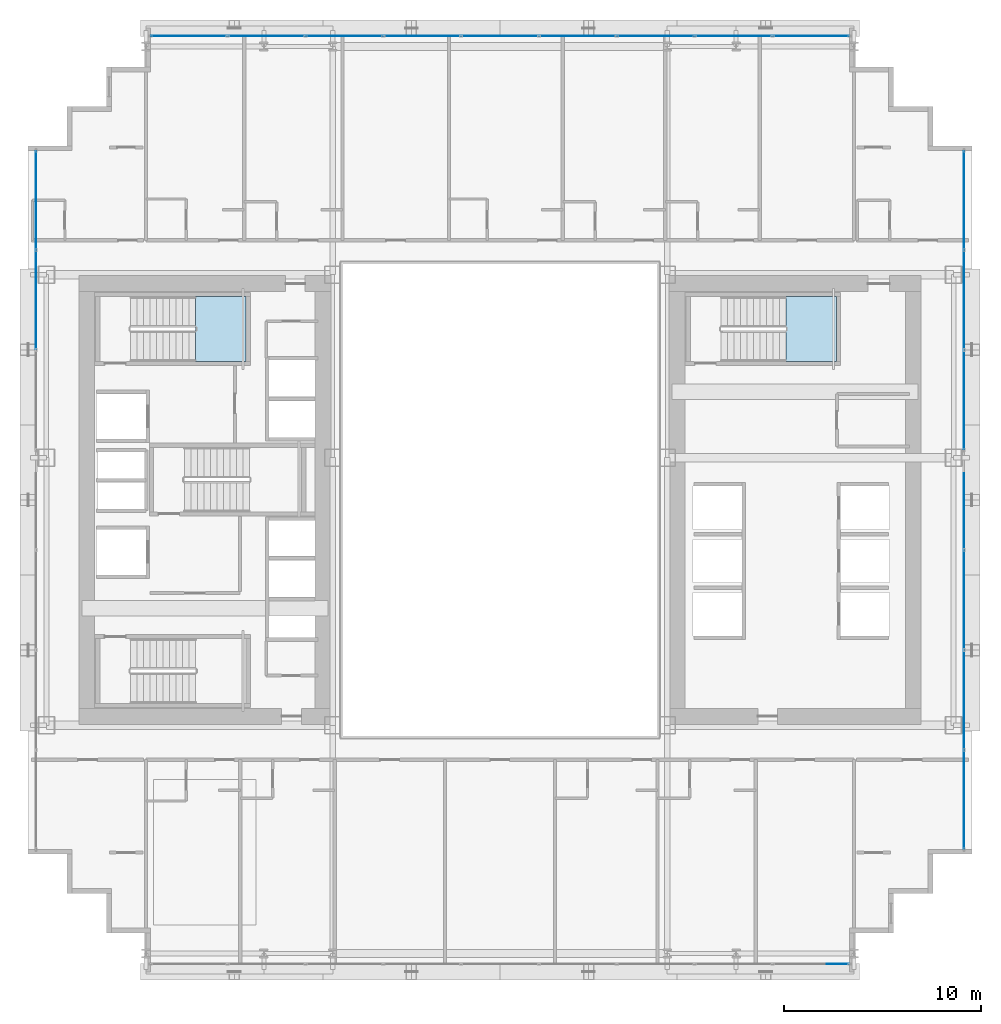
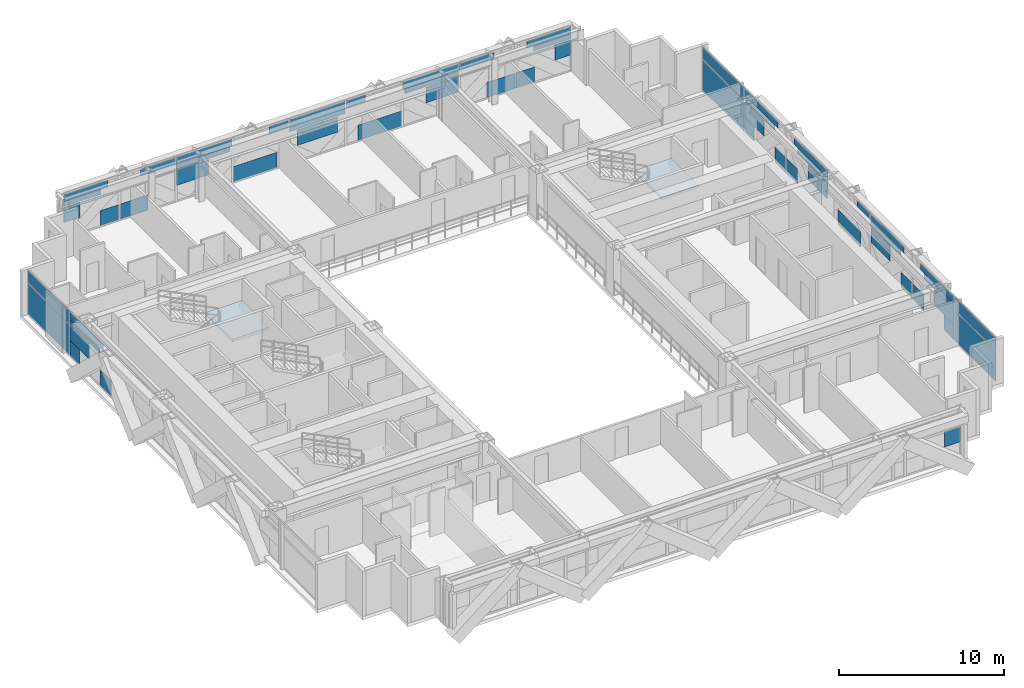
# One storey, part 24 of 35: 56 plates, 2 slabs, 6 elements without a shape of their own.
"""IFC4 building model written with IfcOpenShell, lengths in metres."""

from ifc_helpers import new_model, si_unit, direction, frame, origin, origin_2d, place, context, subcontext, project, spatial, polyline, rectangle, outline, extrude, source, transform, mapped, material, layer, layer_set, type_object, element, aggregate, save


model = new_model("IFC4")

# Units and contexts
model_context = context("Model", 3, precision=1e-05, world=origin(), true_north=direction((0.0, 1.0)))
body_context = subcontext(model_context, "Body", "Model", "MODEL_VIEW")
ifc_project = project(units=[si_unit("LENGTHUNIT", "METRE"), si_unit("AREAUNIT", "SQUARE_METRE"), si_unit("VOLUMEUNIT", "CUBIC_METRE"), si_unit("PLANEANGLEUNIT", "RADIAN"), si_unit("MASSUNIT", "GRAM", prefix="KILO")], contexts=[model_context])

# Site, building, storey
site_placement = place(None, origin())
site = spatial("IfcSite", under=ifc_project, at=site_placement, CompositionType="ELEMENT")
building_placement = place(site_placement, origin())
building = spatial("IfcBuilding", under=site, at=building_placement, Name="Ocotamira Hotel", CompositionType="ELEMENT")
storey_placement = place(building_placement, frame((0.0, 0.0, 70.800048828125)))
storey = spatial("IfcBuildingStorey", under=building, at=storey_placement, Name="L17", CompositionType="ELEMENT", Elevation=70.800048828125)

# Stair, slab
ifc_material_1 = material(Name="Concrete C40/50", Category="concrete")
stair_type = type_object("IfcStairType", Name="ST-CORE-1560", PredefinedType="HALF_TURN_STAIR", material=ifc_material_1)
stair_1_placement = place(storey_placement, origin())
stair_1 = element("IfcStair", 1, at=stair_1_placement, inside=storey, type_object=stair_type, Name="L17 Exit Stair ST-2", PredefinedType="HALF_TURN_STAIR")
ifc_layer_1 = layer(ifc_material_1, 0.199951171875)
ifc_layer_set_1 = layer_set([ifc_layer_1], Name="Concrete C40/50")
slab_type = type_object("IfcSlabType", Name="SLB-LAND-200", PredefinedType="LANDING", material=ifc_layer_set_1)
slab_1_placement = place(storey_placement, frame((0.0, 0.0, 1.599853515625)))
slab_1 = element("IfcSlab", 2, at=slab_1_placement, type_object=slab_type, Name="ST-2 landing 1", PredefinedType="LANDING", context=body_context, shape_type="SweptSolid", body=[
    extrude(outline(polyline([(16.530029296875, 33.050048828125), (19.090087890625, 33.050048828125), (19.090087890625, 36.330078125), (16.530029296875, 36.330078125), (16.530029296875, 33.050048828125)])), origin(), (0.0, 0.0, 1.0), 0.2001953125),
])
aggregate(stair_1, [slab_1])

stair_2_placement = place(storey_placement, origin())
stair_2 = element("IfcStair", 3, at=stair_2_placement, inside=storey, type_object=stair_type, Name="L17 Exit Stair ST-4", PredefinedType="HALF_TURN_STAIR")
slab_2_placement = place(storey_placement, frame((0.0, 0.0, 1.599853515625)))
slab_2 = element("IfcSlab", 4, at=slab_2_placement, type_object=slab_type, Name="ST-4 landing 1", PredefinedType="LANDING", context=body_context, shape_type="SweptSolid", body=[
    extrude(outline(polyline([(46.530029296875, 33.050048828125), (49.090087890625, 33.050048828125), (49.090087890625, 36.330078125), (46.530029296875, 36.330078125), (46.530029296875, 33.050048828125)])), origin(), (0.0, 0.0, 1.0), 0.2001953125),
])
aggregate(stair_2, [slab_2])

# Curtain wall, plate
ifc_material_2 = material(Name="Anodised pale-metal aluminium and solar glass", Category="aluminium")
ifc_layer_2 = layer(ifc_material_2, 0.179931640625)
ifc_layer_set_2 = layer_set([ifc_layer_2], Name="Anodised pale-metal aluminium and solar glass")
curtain_wall_type = type_object("IfcCurtainWallType", Name="CW-SYS2-Z1", PredefinedType="NOTDEFINED", material=ifc_layer_set_2)
curtain_wall_1_placement = place(storey_placement, origin())
curtain_wall_1 = element("IfcCurtainWall", 5, at=curtain_wall_1_placement, inside=storey, type_object=curtain_wall_type, Name="L17 Curtain Wall CW-2 CW-L17-S1", PredefinedType="NOTDEFINED")
ifc_material_3 = material(Name="Double-silver low-E insulated solar glass", Category="glass")
ifc_layer_3 = layer(ifc_material_3, 0.031982421875)
ifc_layer_set_3 = layer_set([ifc_layer_3], Name="Double-silver low-E insulated solar glass")
plate_type = type_object("IfcPlateType", Name="CWP-VISION-32", PredefinedType="CURTAIN_PANEL", material=ifc_layer_set_3)
shared_shape_1 = source(origin(), body_context, "Body", "SweptSolid", [
    extrude(rectangle(XDim=1.11669921875, YDim=0.031982421875, at=origin_2d()), origin(), (0.0, 0.0, 1.0), 1.11865234375),
])
plate_1_placement = place(storey_placement, frame((49.16162109375, 2.419921875, 1.193603515625), z_axis=(0.0, 0.0, 1.0), x_axis=(1.0, 0.0, 0.0)))
plate_1 = element("IfcPlate", 6, at=plate_1_placement, type_object=plate_type, Name="CW-2 panel 9.1.2", PredefinedType="CURTAIN_PANEL", context=body_context, shape_type="MappedRepresentation", body=[
    mapped(shared_shape_1, transform((0.0, 0.0, 0.0), scale=1.0)),
])
aggregate(curtain_wall_1, [plate_1])

# Curtain wall, plates
curtain_wall_2_placement = place(storey_placement, origin())
curtain_wall_2 = element("IfcCurtainWall", 7, at=curtain_wall_2_placement, inside=storey, type_object=curtain_wall_type, Name="L17 Curtain Wall CW-2 CW-L17-N", PredefinedType="NOTDEFINED")
plate_2_placement = place(storey_placement, frame((14.83837890625, 49.580078125, 1.193603515625), z_axis=(0.0, 0.0, 1.0), x_axis=(1.0, 0.0, 0.0)))
plate_2 = element("IfcPlate", 8, at=plate_2_placement, type_object=plate_type, Name="CW-2 panel 1.1.1", PredefinedType="CURTAIN_PANEL", context=body_context, shape_type="MappedRepresentation", body=[
    mapped(shared_shape_1, transform((0.0, 0.0, 0.0), scale=1.0)),
])
plate_3_placement = place(storey_placement, frame((49.16162109375, 49.580078125, 1.193603515625), z_axis=(0.0, 0.0, 1.0), x_axis=(1.0, 0.0, 0.0)))
plate_3 = element("IfcPlate", 9, at=plate_3_placement, type_object=plate_type, Name="CW-2 panel 9.1.2", PredefinedType="CURTAIN_PANEL", context=body_context, shape_type="MappedRepresentation", body=[
    mapped(shared_shape_1, transform((0.0, 0.0, 0.0), scale=1.0)),
])
shared_shape_2 = source(origin(), body_context, "Body", "SweptSolid", [
    extrude(rectangle(XDim=2.60888671875, YDim=0.031982421875, at=origin_2d()), origin(), (0.0, 0.0, 1.0), 0.345458984375),
])
plate_4_placement = place(storey_placement, frame((15.58447265625, 49.580078125, 2.38720703125), z_axis=(0.0, 0.0, 1.0), x_axis=(1.0, 0.0, 0.0)))
plate_4 = element("IfcPlate", 10, at=plate_4_placement, type_object=plate_type, Name="CW-2 panel 1.2.1", PredefinedType="CURTAIN_PANEL", context=body_context, shape_type="MappedRepresentation", body=[
    mapped(shared_shape_2, transform((0.0, 0.0, 0.0), scale=1.0)),
])
plate_5_placement = place(storey_placement, frame((48.41552734375, 49.580078125, 2.38720703125), z_axis=(0.0, 0.0, 1.0), x_axis=(1.0, 0.0, 0.0)))
plate_5 = element("IfcPlate", 11, at=plate_5_placement, type_object=plate_type, Name="CW-2 panel 9.2.2", PredefinedType="CURTAIN_PANEL", context=body_context, shape_type="MappedRepresentation", body=[
    mapped(shared_shape_2, transform((0.0, 0.0, 0.0), scale=1.0)),
])
shared_shape_3 = source(origin(), body_context, "Body", "SweptSolid", [
    extrude(rectangle(XDim=3.079833984375, YDim=0.031982421875, at=origin_2d()), origin(), (0.0, 0.0, 1.0), 0.5107421875),
])
plate_6_placement = place(storey_placement, frame((15.820068359375, 49.580078125, 2.76416015625), z_axis=(0.0, 0.0, 1.0), x_axis=(1.0, 0.0, 0.0)))
plate_6 = element("IfcPlate", 12, at=plate_6_placement, type_object=plate_type, Name="CW-2 panel 1.2.2", PredefinedType="CURTAIN_PANEL", context=body_context, shape_type="MappedRepresentation", body=[
    mapped(shared_shape_3, transform((0.0, 0.0, 0.0), scale=1.0)),
])
plate_7_placement = place(storey_placement, frame((48.179931640625, 49.580078125, 2.76416015625), z_axis=(0.0, 0.0, 1.0), x_axis=(1.0, 0.0, 0.0)))
plate_7 = element("IfcPlate", 13, at=plate_7_placement, type_object=plate_type, Name="CW-2 panel 9.2.1", PredefinedType="CURTAIN_PANEL", context=body_context, shape_type="MappedRepresentation", body=[
    mapped(shared_shape_3, transform((0.0, 0.0, 0.0), scale=1.0)),
])
shared_shape_4 = source(origin(), body_context, "Body", "SweptSolid", [
    extrude(rectangle(XDim=2.430908203125, YDim=0.031982421875, at=origin_2d()), origin(), (0.0, 0.0, 1.0), 0.5107421875),
])
plate_8_placement = place(storey_placement, frame((20.855712890625, 49.580078125, 2.76416015625), z_axis=(0.0, 0.0, 1.0), x_axis=(1.0, 0.0, 0.0)))
plate_8 = element("IfcPlate", 14, at=plate_8_placement, type_object=plate_type, Name="CW-2 panel 2.2.1", PredefinedType="CURTAIN_PANEL", context=body_context, shape_type="MappedRepresentation", body=[
    mapped(shared_shape_4, transform((0.0, 0.0, 0.0), scale=1.0)),
])
plate_9_placement = place(storey_placement, frame((43.144287109375, 49.580078125, 2.76416015625), z_axis=(0.0, 0.0, 1.0), x_axis=(1.0, 0.0, 0.0)))
plate_9 = element("IfcPlate", 15, at=plate_9_placement, type_object=plate_type, Name="CW-2 panel 8.2.1", PredefinedType="CURTAIN_PANEL", context=body_context, shape_type="MappedRepresentation", body=[
    mapped(shared_shape_4, transform((0.0, 0.0, 0.0), scale=1.0)),
])
shared_shape_5 = source(origin(), body_context, "Body", "SweptSolid", [
    extrude(rectangle(XDim=2.24560546875, YDim=0.031982421875, at=origin_2d()), origin(), (0.0, 0.0, 1.0), 1.11865234375),
])
plate_10_placement = place(storey_placement, frame((23.27392578125, 49.580078125, 1.193603515625), z_axis=(0.0, 0.0, 1.0), x_axis=(1.0, 0.0, 0.0)))
plate_10 = element("IfcPlate", 16, at=plate_10_placement, type_object=plate_type, Name="CW-2 panel 3.1.1", PredefinedType="CURTAIN_PANEL", context=body_context, shape_type="MappedRepresentation", body=[
    mapped(shared_shape_5, transform((0.0, 0.0, 0.0), scale=1.0)),
])
plate_11_placement = place(storey_placement, frame((40.72607421875, 49.580078125, 1.193603515625), z_axis=(0.0, 0.0, 1.0), x_axis=(1.0, 0.0, 0.0)))
plate_11 = element("IfcPlate", 17, at=plate_11_placement, type_object=plate_type, Name="CW-2 panel 7.1.1", PredefinedType="CURTAIN_PANEL", context=body_context, shape_type="MappedRepresentation", body=[
    mapped(shared_shape_5, transform((0.0, 0.0, 0.0), scale=1.0)),
])
shared_shape_6 = source(origin(), body_context, "Body", "SweptSolid", [
    extrude(rectangle(XDim=3.73779296875, YDim=0.031982421875, at=origin_2d()), origin(), (0.0, 0.0, 1.0), 0.376708984375),
])
plate_12_placement = place(storey_placement, frame((24.02001953125, 49.580078125, 2.3876953125), z_axis=(0.0, 0.0, 1.0), x_axis=(1.0, 0.0, 0.0)))
plate_12 = element("IfcPlate", 18, at=plate_12_placement, type_object=plate_type, Name="CW-2 panel 3.2.1", PredefinedType="CURTAIN_PANEL", context=body_context, shape_type="MappedRepresentation", body=[
    mapped(shared_shape_6, transform((0.0, 0.0, 0.0), scale=1.0)),
])
plate_13_placement = place(storey_placement, frame((39.97998046875, 49.580078125, 2.3876953125), z_axis=(0.0, 0.0, 1.0), x_axis=(1.0, 0.0, 0.0)))
plate_13 = element("IfcPlate", 19, at=plate_13_placement, type_object=plate_type, Name="CW-2 panel 7.2.2", PredefinedType="CURTAIN_PANEL", context=body_context, shape_type="MappedRepresentation", body=[
    mapped(shared_shape_6, transform((0.0, 0.0, 0.0), scale=1.0)),
])
shared_shape_7 = source(origin(), body_context, "Body", "SweptSolid", [
    extrude(rectangle(XDim=3.87548828125, YDim=0.031982421875, at=origin_2d()), origin(), (0.0, 0.0, 1.0), 0.5107421875),
])
plate_14_placement = place(storey_placement, frame((24.0888671875, 49.580078125, 2.76416015625), z_axis=(0.0, 0.0, 1.0), x_axis=(1.0, 0.0, 0.0)))
plate_14 = element("IfcPlate", 20, at=plate_14_placement, type_object=plate_type, Name="CW-2 panel 3.2.2", PredefinedType="CURTAIN_PANEL", context=body_context, shape_type="MappedRepresentation", body=[
    mapped(shared_shape_7, transform((0.0, 0.0, 0.0), scale=1.0)),
])
plate_15_placement = place(storey_placement, frame((39.9111328125, 49.580078125, 2.76416015625), z_axis=(0.0, 0.0, 1.0), x_axis=(1.0, 0.0, 0.0)))
plate_15 = element("IfcPlate", 21, at=plate_15_placement, type_object=plate_type, Name="CW-2 panel 7.2.1", PredefinedType="CURTAIN_PANEL", context=body_context, shape_type="MappedRepresentation", body=[
    mapped(shared_shape_7, transform((0.0, 0.0, 0.0), scale=1.0)),
])
shared_shape_8 = source(origin(), body_context, "Body", "SweptSolid", [
    extrude(rectangle(XDim=1.34228515625, YDim=0.031982421875, at=origin_2d()), origin(), (0.0, 0.0, 1.0), 0.5107421875),
])
plate_16_placement = place(storey_placement, frame((29.31103515625, 49.580078125, 2.76416015625), z_axis=(0.0, 0.0, 1.0), x_axis=(1.0, 0.0, 0.0)))
plate_16 = element("IfcPlate", 22, at=plate_16_placement, type_object=plate_type, Name="CW-2 panel 4.2.1", PredefinedType="CURTAIN_PANEL", context=body_context, shape_type="MappedRepresentation", body=[
    mapped(shared_shape_8, transform((0.0, 0.0, 0.0), scale=1.0)),
])
plate_17_placement = place(storey_placement, frame((34.68896484375, 49.580078125, 2.76416015625), z_axis=(0.0, 0.0, 1.0), x_axis=(1.0, 0.0, 0.0)))
plate_17 = element("IfcPlate", 23, at=plate_17_placement, type_object=plate_type, Name="CW-2 panel 6.2.1", PredefinedType="CURTAIN_PANEL", context=body_context, shape_type="MappedRepresentation", body=[
    mapped(shared_shape_8, transform((0.0, 0.0, 0.0), scale=1.0)),
])
shared_shape_9 = source(origin(), body_context, "Body", "SweptSolid", [
    extrude(rectangle(XDim=2.793701171875, YDim=0.031982421875, at=origin_2d()), origin(), (0.0, 0.0, 1.0), 1.11865234375),
])
plate_18_placement = place(storey_placement, frame((32.0, 49.580078125, 1.193603515625), z_axis=(0.0, 0.0, 1.0), x_axis=(1.0, 0.0, 0.0)))
plate_18 = element("IfcPlate", 24, at=plate_18_placement, type_object=plate_type, Name="CW-2 panel 5.1.1", PredefinedType="CURTAIN_PANEL", context=body_context, shape_type="MappedRepresentation", body=[
    mapped(shared_shape_9, transform((0.0, 0.0, 0.0), scale=1.0)),
])
shared_shape_10 = source(origin(), body_context, "Body", "SweptSolid", [
    extrude(rectangle(XDim=3.87548828125, YDim=0.031982421875, at=origin_2d()), origin(), (0.0, 0.0, 1.0), 0.887451171875),
])
plate_19_placement = place(storey_placement, frame((32.0, 49.580078125, 2.3876953125), z_axis=(0.0, 0.0, 1.0), x_axis=(1.0, 0.0, 0.0)))
plate_19 = element("IfcPlate", 25, at=plate_19_placement, type_object=plate_type, Name="CW-2 panel 5.2", PredefinedType="CURTAIN_PANEL", context=body_context, shape_type="MappedRepresentation", body=[
    mapped(shared_shape_10, transform((0.0, 0.0, 0.0), scale=1.0)),
])

# Curtain wall, plate
curtain_wall_3_placement = place(storey_placement, origin())
curtain_wall_3 = element("IfcCurtainWall", 26, at=curtain_wall_3_placement, inside=storey, type_object=curtain_wall_type, Name="L17 Curtain Wall CW-2 CW-L17-W", PredefinedType="NOTDEFINED")
shared_shape_11 = source(origin(), body_context, "Body", "SweptSolid", [
    extrude(rectangle(XDim=4.9658203125, YDim=0.031982421875, at=origin_2d()), origin(), (0.0, 0.0, 1.0), 2.237548828125),
])
plate_20_placement = place(storey_placement, frame((8.419921875, 41.237060546875, 0.07470703125), z_axis=(0.0, 0.0, 1.0), x_axis=(0.0, 1.0, 0.0)))
plate_20 = element("IfcPlate", 27, at=plate_20_placement, type_object=plate_type, Name="CW-2 panel 7.1", PredefinedType="CURTAIN_PANEL", context=body_context, shape_type="MappedRepresentation", body=[
    mapped(shared_shape_11, transform((0.0, 0.0, 0.0), scale=1.0)),
])

# Curtain wall, plates
curtain_wall_4_placement = place(storey_placement, origin())
curtain_wall_4 = element("IfcCurtainWall", 28, at=curtain_wall_4_placement, inside=storey, type_object=curtain_wall_type, Name="L17 Curtain Wall CW-2 CW-L17-E", PredefinedType="NOTDEFINED")
plate_21_placement = place(storey_placement, frame((55.580078125, 10.762939453125, 0.07470703125), z_axis=(0.0, 0.0, 1.0), x_axis=(0.0, 1.0, 0.0)))
plate_21 = element("IfcPlate", 29, at=plate_21_placement, type_object=plate_type, Name="CW-2 panel 1.1", PredefinedType="CURTAIN_PANEL", context=body_context, shape_type="MappedRepresentation", body=[
    mapped(shared_shape_11, transform((0.0, 0.0, 0.0), scale=1.0)),
])
plate_22_placement = place(storey_placement, frame((55.580078125, 41.237060546875, 0.07470703125), z_axis=(0.0, 0.0, 1.0), x_axis=(0.0, 1.0, 0.0)))
plate_22 = element("IfcPlate", 30, at=plate_22_placement, type_object=plate_type, Name="CW-2 panel 7.1", PredefinedType="CURTAIN_PANEL", context=body_context, shape_type="MappedRepresentation", body=[
    mapped(shared_shape_11, transform((0.0, 0.0, 0.0), scale=1.0)),
])

# Plate
shared_shape_12 = source(origin(), body_context, "Body", "SweptSolid", [
    extrude(rectangle(XDim=4.9658203125, YDim=0.031982421875, at=origin_2d()), origin(), (0.0, 0.0, 1.0), 0.887451171875),
])
plate_23_placement = place(storey_placement, frame((8.419921875, 41.237060546875, 2.3876953125), z_axis=(0.0, 0.0, 1.0), x_axis=(0.0, 1.0, 0.0)))
plate_23 = element("IfcPlate", 31, at=plate_23_placement, type_object=plate_type, Name="CW-2 panel 7.2", PredefinedType="CURTAIN_PANEL", context=body_context, shape_type="MappedRepresentation", body=[
    mapped(shared_shape_12, transform((0.0, 0.0, 0.0), scale=1.0)),
])

plate_24_placement = place(storey_placement, frame((55.580078125, 10.762939453125, 2.3876953125), z_axis=(0.0, 0.0, 1.0), x_axis=(0.0, 1.0, 0.0)))
plate_24 = element("IfcPlate", 32, at=plate_24_placement, type_object=plate_type, Name="CW-2 panel 1.2", PredefinedType="CURTAIN_PANEL", context=body_context, shape_type="MappedRepresentation", body=[
    mapped(shared_shape_12, transform((0.0, 0.0, 0.0), scale=1.0)),
])

plate_25_placement = place(storey_placement, frame((55.580078125, 41.237060546875, 2.3876953125), z_axis=(0.0, 0.0, 1.0), x_axis=(0.0, 1.0, 0.0)))
plate_25 = element("IfcPlate", 33, at=plate_25_placement, type_object=plate_type, Name="CW-2 panel 7.2", PredefinedType="CURTAIN_PANEL", context=body_context, shape_type="MappedRepresentation", body=[
    mapped(shared_shape_12, transform((0.0, 0.0, 0.0), scale=1.0)),
])

shared_shape_13 = source(origin(), body_context, "Body", "SweptSolid", [
    extrude(rectangle(XDim=2.364013671875, YDim=0.031982421875, at=origin_2d()), origin(), (0.0, 0.0, 1.0), 1.11865234375),
])
plate_26_placement = place(storey_placement, frame((8.419921875, 37.4921875, 1.193603515625), z_axis=(0.0, 0.0, 1.0), x_axis=(0.0, 1.0, 0.0)))
plate_26 = element("IfcPlate", 34, at=plate_26_placement, type_object=plate_type, Name="CW-2 panel 6.1.2", PredefinedType="CURTAIN_PANEL", context=body_context, shape_type="MappedRepresentation", body=[
    mapped(shared_shape_13, transform((0.0, 0.0, 0.0), scale=1.0)),
])

plate_27_placement = place(storey_placement, frame((55.580078125, 14.5078125, 1.193603515625), z_axis=(0.0, 0.0, 1.0), x_axis=(0.0, 1.0, 0.0)))
plate_27 = element("IfcPlate", 35, at=plate_27_placement, type_object=plate_type, Name="CW-2 panel 2.1.2", PredefinedType="CURTAIN_PANEL", context=body_context, shape_type="MappedRepresentation", body=[
    mapped(shared_shape_13, transform((0.0, 0.0, 0.0), scale=1.0)),
])

plate_28_placement = place(storey_placement, frame((55.580078125, 37.4921875, 1.193603515625), z_axis=(0.0, 0.0, 1.0), x_axis=(0.0, 1.0, 0.0)))
plate_28 = element("IfcPlate", 36, at=plate_28_placement, type_object=plate_type, Name="CW-2 panel 6.1.2", PredefinedType="CURTAIN_PANEL", context=body_context, shape_type="MappedRepresentation", body=[
    mapped(shared_shape_13, transform((0.0, 0.0, 0.0), scale=1.0)),
])

shared_shape_14 = source(origin(), body_context, "Body", "SweptSolid", [
    extrude(rectangle(XDim=3.629638671875, YDim=0.031982421875, at=origin_2d()), origin(), (0.0, 0.0, 1.0), 0.367919921875),
])
plate_29_placement = place(storey_placement, frame((8.419921875, 36.859375, 2.3876953125), z_axis=(0.0, 0.0, 1.0), x_axis=(0.0, 1.0, 0.0)))
plate_29 = element("IfcPlate", 37, at=plate_29_placement, type_object=plate_type, Name="CW-2 panel 6.2.2", PredefinedType="CURTAIN_PANEL", context=body_context, shape_type="MappedRepresentation", body=[
    mapped(shared_shape_14, transform((0.0, 0.0, 0.0), scale=1.0)),
])

plate_30_placement = place(storey_placement, frame((55.580078125, 15.140625, 2.3876953125), z_axis=(0.0, 0.0, 1.0), x_axis=(0.0, 1.0, 0.0)))
plate_30 = element("IfcPlate", 38, at=plate_30_placement, type_object=plate_type, Name="CW-2 panel 2.2.1", PredefinedType="CURTAIN_PANEL", context=body_context, shape_type="MappedRepresentation", body=[
    mapped(shared_shape_14, transform((0.0, 0.0, 0.0), scale=1.0)),
])

plate_31_placement = place(storey_placement, frame((55.580078125, 36.859375, 2.3876953125), z_axis=(0.0, 0.0, 1.0), x_axis=(0.0, 1.0, 0.0)))
plate_31 = element("IfcPlate", 39, at=plate_31_placement, type_object=plate_type, Name="CW-2 panel 6.2.2", PredefinedType="CURTAIN_PANEL", context=body_context, shape_type="MappedRepresentation", body=[
    mapped(shared_shape_14, transform((0.0, 0.0, 0.0), scale=1.0)),
])

shared_shape_15 = source(origin(), body_context, "Body", "SweptSolid", [
    extrude(rectangle(XDim=4.05615234375, YDim=0.031982421875, at=origin_2d()), origin(), (0.0, 0.0, 1.0), 0.485107421875),
])
plate_32_placement = place(storey_placement, frame((8.419921875, 36.646240234375, 2.7900390625), z_axis=(0.0, 0.0, 1.0), x_axis=(0.0, 1.0, 0.0)))
plate_32 = element("IfcPlate", 40, at=plate_32_placement, type_object=plate_type, Name="CW-2 panel 6.2.1", PredefinedType="CURTAIN_PANEL", context=body_context, shape_type="MappedRepresentation", body=[
    mapped(shared_shape_15, transform((0.0, 0.0, 0.0), scale=1.0)),
])

plate_33_placement = place(storey_placement, frame((55.580078125, 15.353759765625, 2.7900390625), z_axis=(0.0, 0.0, 1.0), x_axis=(0.0, 1.0, 0.0)))
plate_33 = element("IfcPlate", 41, at=plate_33_placement, type_object=plate_type, Name="CW-2 panel 2.2.2", PredefinedType="CURTAIN_PANEL", context=body_context, shape_type="MappedRepresentation", body=[
    mapped(shared_shape_15, transform((0.0, 0.0, 0.0), scale=1.0)),
])

plate_34_placement = place(storey_placement, frame((55.580078125, 36.646240234375, 2.7900390625), z_axis=(0.0, 0.0, 1.0), x_axis=(0.0, 1.0, 0.0)))
plate_34 = element("IfcPlate", 42, at=plate_34_placement, type_object=plate_type, Name="CW-2 panel 6.2.1", PredefinedType="CURTAIN_PANEL", context=body_context, shape_type="MappedRepresentation", body=[
    mapped(shared_shape_15, transform((0.0, 0.0, 0.0), scale=1.0)),
])

shared_shape_16 = source(origin(), body_context, "Body", "SweptSolid", [
    extrude(rectangle(XDim=2.27978515625, YDim=0.031982421875, at=origin_2d()), origin(), (0.0, 0.0, 1.0), 1.11865234375),
])
plate_35_placement = place(storey_placement, frame((55.580078125, 22.183349609375, 1.193603515625), z_axis=(0.0, 0.0, 1.0), x_axis=(0.0, 1.0, 0.0)))
plate_35 = element("IfcPlate", 43, at=plate_35_placement, type_object=plate_type, Name="CW-2 panel 3.1.2", PredefinedType="CURTAIN_PANEL", context=body_context, shape_type="MappedRepresentation", body=[
    mapped(shared_shape_16, transform((0.0, 0.0, 0.0), scale=1.0)),
])

plate_36_placement = place(storey_placement, frame((55.580078125, 29.816650390625, 1.193603515625), z_axis=(0.0, 0.0, 1.0), x_axis=(0.0, 1.0, 0.0)))
plate_36 = element("IfcPlate", 44, at=plate_36_placement, type_object=plate_type, Name="CW-2 panel 5.1.1", PredefinedType="CURTAIN_PANEL", context=body_context, shape_type="MappedRepresentation", body=[
    mapped(shared_shape_16, transform((0.0, 0.0, 0.0), scale=1.0)),
])

shared_shape_17 = source(origin(), body_context, "Body", "SweptSolid", [
    extrude(rectangle(XDim=4.06591796875, YDim=0.031982421875, at=origin_2d()), origin(), (0.0, 0.0, 1.0), 0.485107421875),
])
plate_37_placement = place(storey_placement, frame((55.580078125, 21.38427734375, 2.7900390625), z_axis=(0.0, 0.0, 1.0), x_axis=(0.0, 1.0, 0.0)))
plate_37 = element("IfcPlate", 45, at=plate_37_placement, type_object=plate_type, Name="CW-2 panel 3.2.1", PredefinedType="CURTAIN_PANEL", context=body_context, shape_type="MappedRepresentation", body=[
    mapped(shared_shape_17, transform((0.0, 0.0, 0.0), scale=1.0)),
])

plate_38_placement = place(storey_placement, frame((55.580078125, 30.61572265625, 2.7900390625), z_axis=(0.0, 0.0, 1.0), x_axis=(0.0, 1.0, 0.0)))
plate_38 = element("IfcPlate", 46, at=plate_38_placement, type_object=plate_type, Name="CW-2 panel 5.2.2", PredefinedType="CURTAIN_PANEL", context=body_context, shape_type="MappedRepresentation", body=[
    mapped(shared_shape_17, transform((0.0, 0.0, 0.0), scale=1.0)),
])

shared_shape_18 = source(origin(), body_context, "Body", "SweptSolid", [
    extrude(rectangle(XDim=3.639404296875, YDim=0.031982421875, at=origin_2d()), origin(), (0.0, 0.0, 1.0), 0.367919921875),
])
plate_39_placement = place(storey_placement, frame((55.580078125, 21.597412109375, 2.3876953125), z_axis=(0.0, 0.0, 1.0), x_axis=(0.0, 1.0, 0.0)))
plate_39 = element("IfcPlate", 47, at=plate_39_placement, type_object=plate_type, Name="CW-2 panel 3.2.2", PredefinedType="CURTAIN_PANEL", context=body_context, shape_type="MappedRepresentation", body=[
    mapped(shared_shape_18, transform((0.0, 0.0, 0.0), scale=1.0)),
])

plate_40_placement = place(storey_placement, frame((55.580078125, 30.402587890625, 2.3876953125), z_axis=(0.0, 0.0, 1.0), x_axis=(0.0, 1.0, 0.0)))
plate_40 = element("IfcPlate", 48, at=plate_40_placement, type_object=plate_type, Name="CW-2 panel 5.2.1", PredefinedType="CURTAIN_PANEL", context=body_context, shape_type="MappedRepresentation", body=[
    mapped(shared_shape_18, transform((0.0, 0.0, 0.0), scale=1.0)),
])

shared_shape_19 = source(origin(), body_context, "Body", "SweptSolid", [
    extrude(rectangle(XDim=1.518310546875, YDim=0.031982421875, at=origin_2d()), origin(), (0.0, 0.0, 1.0), 0.485107421875),
])
plate_41_placement = place(storey_placement, frame((55.580078125, 24.256103515625, 2.7900390625), z_axis=(0.0, 0.0, 1.0), x_axis=(0.0, 1.0, 0.0)))
plate_41 = element("IfcPlate", 49, at=plate_41_placement, type_object=plate_type, Name="CW-2 panel 4.2.1", PredefinedType="CURTAIN_PANEL", context=body_context, shape_type="MappedRepresentation", body=[
    mapped(shared_shape_19, transform((0.0, 0.0, 0.0), scale=1.0)),
])

shared_shape_20 = source(origin(), body_context, "Body", "SweptSolid", [
    extrude(rectangle(XDim=1.278076171875, YDim=0.031982421875, at=origin_2d()), origin(), (0.0, 0.0, 1.0), 1.118896484375),
])
plate_42_placement = place(storey_placement, frame((17.4765625, 49.580078125, 0.07470703125), z_axis=(0.0, 0.0, 1.0), x_axis=(1.0, 0.0, 0.0)))
plate_42 = element("IfcPlate", 50, at=plate_42_placement, type_object=plate_type, Name="CW-2 panel 1.1.2", PredefinedType="CURTAIN_PANEL", context=body_context, shape_type="MappedRepresentation", body=[
    mapped(shared_shape_20, transform((0.0, 0.0, 0.0), scale=1.0)),
])

plate_43_placement = place(storey_placement, frame((46.5234375, 49.580078125, 0.07470703125), z_axis=(0.0, 0.0, 1.0), x_axis=(1.0, 0.0, 0.0)))
plate_43 = element("IfcPlate", 51, at=plate_43_placement, type_object=plate_type, Name="CW-2 panel 9.1.1", PredefinedType="CURTAIN_PANEL", context=body_context, shape_type="MappedRepresentation", body=[
    mapped(shared_shape_20, transform((0.0, 0.0, 0.0), scale=1.0)),
])

shared_shape_21 = source(origin(), body_context, "Body", "SweptSolid", [
    extrude(rectangle(XDim=1.966796875, YDim=0.031982421875, at=origin_2d()), origin(), (0.0, 0.0, 1.0), 1.118896484375),
])
plate_44_placement = place(storey_placement, frame((19.178955078125, 49.580078125, 0.07470703125), z_axis=(0.0, 0.0, 1.0), x_axis=(1.0, 0.0, 0.0)))
plate_44 = element("IfcPlate", 52, at=plate_44_placement, type_object=plate_type, Name="CW-2 panel 2.1.1", PredefinedType="CURTAIN_PANEL", context=body_context, shape_type="MappedRepresentation", body=[
    mapped(shared_shape_21, transform((0.0, 0.0, 0.0), scale=1.0)),
])

plate_45_placement = place(storey_placement, frame((44.821044921875, 49.580078125, 0.07470703125), z_axis=(0.0, 0.0, 1.0), x_axis=(1.0, 0.0, 0.0)))
plate_45 = element("IfcPlate", 53, at=plate_45_placement, type_object=plate_type, Name="CW-2 panel 8.1.1", PredefinedType="CURTAIN_PANEL", context=body_context, shape_type="MappedRepresentation", body=[
    mapped(shared_shape_21, transform((0.0, 0.0, 0.0), scale=1.0)),
])

shared_shape_22 = source(origin(), body_context, "Body", "SweptSolid", [
    extrude(rectangle(XDim=3.055908203125, YDim=0.031982421875, at=origin_2d()), origin(), (0.0, 0.0, 1.0), 1.118896484375),
])
plate_46_placement = place(storey_placement, frame((27.634521484375, 49.580078125, 0.07470703125), z_axis=(0.0, 0.0, 1.0), x_axis=(1.0, 0.0, 0.0)))
plate_46 = element("IfcPlate", 54, at=plate_46_placement, type_object=plate_type, Name="CW-2 panel 4.1.1", PredefinedType="CURTAIN_PANEL", context=body_context, shape_type="MappedRepresentation", body=[
    mapped(shared_shape_22, transform((0.0, 0.0, 0.0), scale=1.0)),
])

plate_47_placement = place(storey_placement, frame((36.365478515625, 49.580078125, 0.07470703125), z_axis=(0.0, 0.0, 1.0), x_axis=(1.0, 0.0, 0.0)))
plate_47 = element("IfcPlate", 55, at=plate_47_placement, type_object=plate_type, Name="CW-2 panel 6.1.1", PredefinedType="CURTAIN_PANEL", context=body_context, shape_type="MappedRepresentation", body=[
    mapped(shared_shape_22, transform((0.0, 0.0, 0.0), scale=1.0)),
])

aggregate(curtain_wall_2, [plate_2, plate_42, plate_4, plate_6, plate_44, plate_8, plate_10, plate_12, plate_14, plate_46, plate_16, plate_18, plate_19, plate_47, plate_17, plate_11, plate_15, plate_13, plate_45, plate_9, plate_43, plate_3, plate_7, plate_5])

shared_shape_23 = source(origin(), body_context, "Body", "SweptSolid", [
    extrude(rectangle(XDim=1.177978515625, YDim=0.031982421875, at=origin_2d()), origin(), (0.0, 0.0, 1.0), 1.118896484375),
])
plate_48_placement = place(storey_placement, frame((8.419921875, 38.085205078125, 0.07470703125), z_axis=(0.0, 0.0, 1.0), x_axis=(0.0, 1.0, 0.0)))
plate_48 = element("IfcPlate", 56, at=plate_48_placement, type_object=plate_type, Name="CW-2 panel 6.1.3", PredefinedType="CURTAIN_PANEL", context=body_context, shape_type="MappedRepresentation", body=[
    mapped(shared_shape_23, transform((0.0, 0.0, 0.0), scale=1.0)),
])

plate_49_placement = place(storey_placement, frame((55.580078125, 13.914794921875, 0.07470703125), z_axis=(0.0, 0.0, 1.0), x_axis=(0.0, 1.0, 0.0)))
plate_49 = element("IfcPlate", 57, at=plate_49_placement, type_object=plate_type, Name="CW-2 panel 2.1.1", PredefinedType="CURTAIN_PANEL", context=body_context, shape_type="MappedRepresentation", body=[
    mapped(shared_shape_23, transform((0.0, 0.0, 0.0), scale=1.0)),
])

plate_50_placement = place(storey_placement, frame((55.580078125, 38.085205078125, 0.07470703125), z_axis=(0.0, 0.0, 1.0), x_axis=(0.0, 1.0, 0.0)))
plate_50 = element("IfcPlate", 58, at=plate_50_placement, type_object=plate_type, Name="CW-2 panel 6.1.3", PredefinedType="CURTAIN_PANEL", context=body_context, shape_type="MappedRepresentation", body=[
    mapped(shared_shape_23, transform((0.0, 0.0, 0.0), scale=1.0)),
])

shared_shape_24 = source(origin(), body_context, "Body", "SweptSolid", [
    extrude(rectangle(XDim=1.330078125, YDim=0.031982421875, at=origin_2d()), origin(), (0.0, 0.0, 1.0), 1.118896484375),
])
plate_51_placement = place(storey_placement, frame((8.419921875, 34.33349609375, 0.07470703125), z_axis=(0.0, 0.0, 1.0), x_axis=(0.0, 1.0, 0.0)))
plate_51 = element("IfcPlate", 59, at=plate_51_placement, type_object=plate_type, Name="CW-2 panel 6.1.1", PredefinedType="CURTAIN_PANEL", context=body_context, shape_type="MappedRepresentation", body=[
    mapped(shared_shape_24, transform((0.0, 0.0, 0.0), scale=1.0)),
])

aggregate(curtain_wall_3, [plate_51, plate_26, plate_48, plate_32, plate_29, plate_20, plate_23])

plate_52_placement = place(storey_placement, frame((55.580078125, 17.66650390625, 0.07470703125), z_axis=(0.0, 0.0, 1.0), x_axis=(0.0, 1.0, 0.0)))
plate_52 = element("IfcPlate", 60, at=plate_52_placement, type_object=plate_type, Name="CW-2 panel 2.1.3", PredefinedType="CURTAIN_PANEL", context=body_context, shape_type="MappedRepresentation", body=[
    mapped(shared_shape_24, transform((0.0, 0.0, 0.0), scale=1.0)),
])

plate_53_placement = place(storey_placement, frame((55.580078125, 34.33349609375, 0.07470703125), z_axis=(0.0, 0.0, 1.0), x_axis=(0.0, 1.0, 0.0)))
plate_53 = element("IfcPlate", 61, at=plate_53_placement, type_object=plate_type, Name="CW-2 panel 6.1.1", PredefinedType="CURTAIN_PANEL", context=body_context, shape_type="MappedRepresentation", body=[
    mapped(shared_shape_24, transform((0.0, 0.0, 0.0), scale=1.0)),
])

shared_shape_25 = source(origin(), body_context, "Body", "SweptSolid", [
    extrude(rectangle(XDim=1.3203125, YDim=0.031982421875, at=origin_2d()), origin(), (0.0, 0.0, 1.0), 1.118896484375),
])
plate_54_placement = place(storey_placement, frame((55.580078125, 19.071533203125, 0.07470703125), z_axis=(0.0, 0.0, 1.0), x_axis=(0.0, 1.0, 0.0)))
plate_54 = element("IfcPlate", 62, at=plate_54_placement, type_object=plate_type, Name="CW-2 panel 3.1.1", PredefinedType="CURTAIN_PANEL", context=body_context, shape_type="MappedRepresentation", body=[
    mapped(shared_shape_25, transform((0.0, 0.0, 0.0), scale=1.0)),
])

plate_55_placement = place(storey_placement, frame((55.580078125, 32.928466796875, 0.07470703125), z_axis=(0.0, 0.0, 1.0), x_axis=(0.0, 1.0, 0.0)))
plate_55 = element("IfcPlate", 63, at=plate_55_placement, type_object=plate_type, Name="CW-2 panel 5.1.2", PredefinedType="CURTAIN_PANEL", context=body_context, shape_type="MappedRepresentation", body=[
    mapped(shared_shape_25, transform((0.0, 0.0, 0.0), scale=1.0)),
])

shared_shape_26 = source(origin(), body_context, "Body", "SweptSolid", [
    extrude(rectangle(XDim=2.730224609375, YDim=0.031982421875, at=origin_2d()), origin(), (0.0, 0.0, 1.0), 1.118896484375),
])
plate_56_placement = place(storey_placement, frame((55.580078125, 26.0, 0.07470703125), z_axis=(0.0, 0.0, 1.0), x_axis=(0.0, 1.0, 0.0)))
plate_56 = element("IfcPlate", 64, at=plate_56_placement, type_object=plate_type, Name="CW-2 panel 4.1.1", PredefinedType="CURTAIN_PANEL", context=body_context, shape_type="MappedRepresentation", body=[
    mapped(shared_shape_26, transform((0.0, 0.0, 0.0), scale=1.0)),
])

aggregate(curtain_wall_4, [plate_21, plate_24, plate_49, plate_27, plate_52, plate_30, plate_33, plate_54, plate_35, plate_37, plate_39, plate_56, plate_41, plate_36, plate_55, plate_40, plate_38, plate_53, plate_28, plate_50, plate_34, plate_31, plate_22, plate_25])

save(model, "model.ifc")
